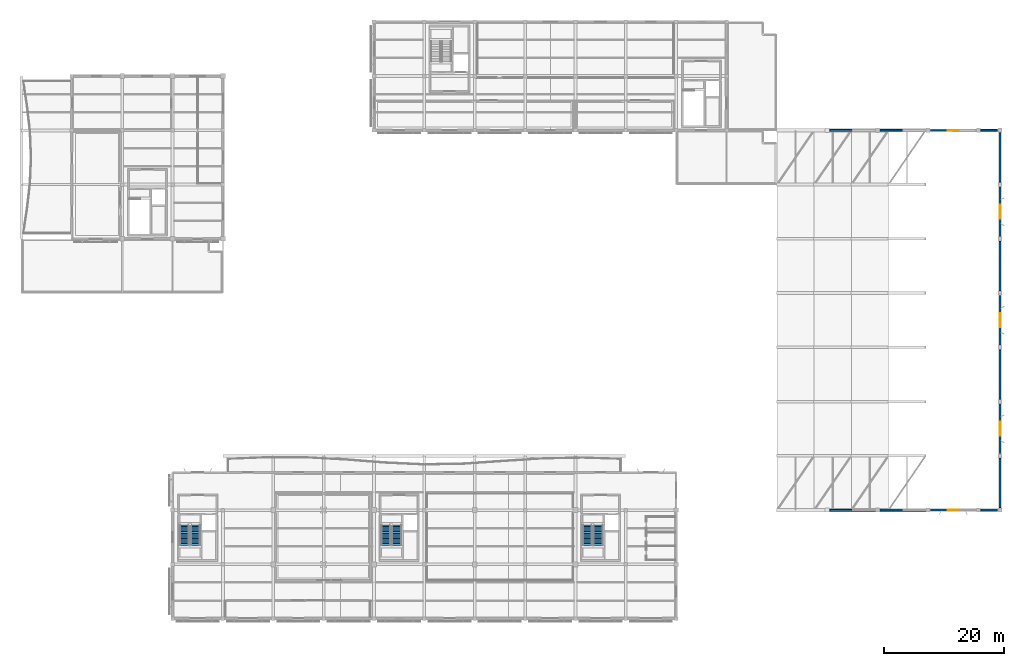
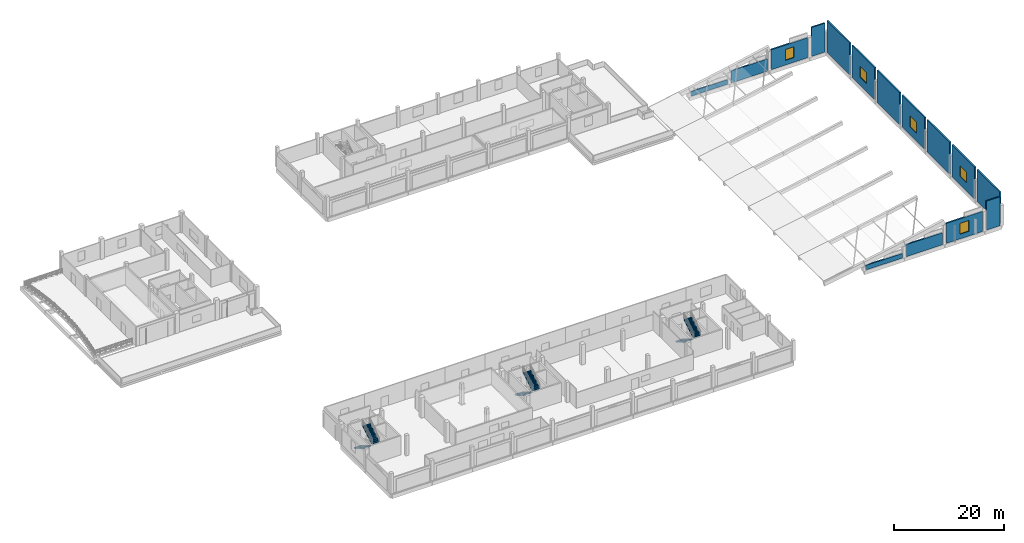
# One storey, part 20 of 34: 15 walls, 6 stair flights, 5 windows, 5 openings, 3 elements without a shape of their own.
"""IFC4 building model written with IfcOpenShell, lengths in metres."""

from ifc_helpers import new_model, si_unit, direction, frame, frame_2d, origin, place, context, subcontext, project, spatial, polyline, rectangle, outline, extrude, material, layer, layer_set, type_object, element, fill, aggregate, save


model = new_model("IFC4")

# Units and contexts
model_context = context("Model", 3, precision=1e-05, world=origin(), true_north=direction((0.0, 1.0)))
body_context = subcontext(model_context, "Body", "Model", "MODEL_VIEW")
ifc_project = project(units=[si_unit("LENGTHUNIT", "METRE"), si_unit("AREAUNIT", "SQUARE_METRE"), si_unit("VOLUMEUNIT", "CUBIC_METRE"), si_unit("PLANEANGLEUNIT", "RADIAN"), si_unit("MASSUNIT", "GRAM", prefix="KILO")], contexts=[model_context])

# Site, building, storey
site_placement = place(None, origin())
site = spatial("IfcSite", under=ifc_project, at=site_placement, CompositionType="ELEMENT")
building_placement = place(site_placement, origin())
building = spatial("IfcBuilding", under=site, at=building_placement, Name="Khurvash Pelagic Aquarium", CompositionType="ELEMENT")
storey_placement = place(building_placement, frame((0.0, 0.0, 15.60009765625)))
storey = spatial("IfcBuildingStorey", under=building, at=storey_placement, Name="L03", CompositionType="ELEMENT", Elevation=15.60009765625)

# Wall
ifc_material_1 = material(Name="Precast concrete C40/50", Category="concrete")
ifc_layer = layer(ifc_material_1, 0.300048828125)
ifc_layer_set = layer_set([ifc_layer], Name="Precast concrete C40/50")
wall_type = type_object("IfcWallType", Name="EW-300", PredefinedType="STANDARD", material=ifc_layer_set)
wall_1_placement = place(storey_placement, frame((163.199951171875, 21.110107421875, 0.0), z_axis=(0.0, 0.0, 1.0), x_axis=(0.0, 1.0, 0.0)))
element("IfcWall", 1, at=wall_1_placement, inside=storey, type_object=wall_type, Name="L03 Ocean Tank Hall East Containment Wall EW-300 B1", PredefinedType="STANDARD", context=body_context, shape_type="SweptSolid", body=[
    extrude(rectangle(XDim=8.22998046875, YDim=0.300048828125, at=frame_2d((4.114990234375, 0.0))), origin(), (0.0, 0.0, 1.0), 7.0498046875),
])

# Wall, opening, window
wall_2_placement = place(storey_placement, frame((163.199951171875, 30.159912109375, 0.0), z_axis=(0.0, 0.0, 1.0), x_axis=(0.0, 1.0, 0.0)))
wall_2 = element("IfcWall", 2, at=wall_2_placement, inside=storey, type_object=wall_type, Name="L03 Ocean Tank Hall East Containment Wall EW-300 B2", PredefinedType="STANDARD", context=body_context, shape_type="SweptSolid", body=[
    extrude(rectangle(XDim=8.22998046875, YDim=0.300048828125, at=frame_2d((4.114990234375, 0.0))), origin(), (0.0, 0.0, 1.0), 7.0498046875),
])
opening_1_placement = place(wall_2_placement, frame((2.9150390625, 0.0, 1.7998046875)))
opening_1 = element("IfcOpeningElement", 3, at=opening_1_placement, cuts=wall_2, Name="Opening WN-02", PredefinedType="OPENING", context=body_context, shape_type="SweptSolid", body=[
    extrude(rectangle(XDim=2.39990234375, YDim=2.39990234375, at=frame_2d((1.199951171875, 1.199951171875))), frame((0.0, 0.16015625, 0.0), z_axis=(0.0, -1.0, 0.0), x_axis=(1.0, 0.0, 0.0)), (0.0, 0.0, 1.0), 0.320068359375),
])
ifc_material_2 = material(Name="Thermally broken aluminium and low-E glass", Category="aluminium")
window_type_1 = type_object("IfcWindowType", Name="WN-02", PartitioningType="SINGLE_PANEL", PredefinedType="WINDOW", material=ifc_material_2)
window_1_placement = place(opening_1_placement, origin())
window_1 = element("IfcWindow", 4, at=window_1_placement, inside=storey, type_object=window_type_1, Name="L03 Ocean Hall Deep-Set Oceanic Portal Window WN-02", OverallHeight=2.39990234375, OverallWidth=2.39990234375, PartitioningType="SINGLE_PANEL", PredefinedType="WINDOW", context=body_context, shape_type="SweptSolid", body=[
    extrude(rectangle(XDim=2.39990234375, YDim=2.39990234375, at=frame_2d((1.199951171875, 1.199951171875))), frame((0.0, 0.030029296875, 0.0), z_axis=(0.0, -1.0, 0.0), x_axis=(1.0, 0.0, 0.0)), (0.0, 0.0, 1.0), 0.06005859375),
])
fill(opening_1, window_1)

# Wall
wall_3_placement = place(storey_placement, frame((163.199951171875, 39.2099609375, 0.0), z_axis=(0.0, 0.0, 1.0), x_axis=(0.0, 1.0, 0.0)))
element("IfcWall", 5, at=wall_3_placement, inside=storey, type_object=wall_type, Name="L03 Ocean Tank Hall East Containment Wall EW-300 B3", PredefinedType="STANDARD", context=body_context, shape_type="SweptSolid", body=[
    extrude(rectangle(XDim=8.22998046875, YDim=0.300048828125, at=frame_2d((4.114990234375, 0.0))), origin(), (0.0, 0.0, 1.0), 7.0498046875),
])

# Wall, opening, window
wall_4_placement = place(storey_placement, frame((163.199951171875, 48.260009765625, 0.0), z_axis=(0.0, 0.0, 1.0), x_axis=(0.0, 1.0, 0.0)))
wall_4 = element("IfcWall", 6, at=wall_4_placement, inside=storey, type_object=wall_type, Name="L03 Ocean Tank Hall East Containment Wall EW-300 B4", PredefinedType="STANDARD", context=body_context, shape_type="SweptSolid", body=[
    extrude(rectangle(XDim=8.22998046875, YDim=0.300048828125, at=frame_2d((4.114990234375, 0.0))), origin(), (0.0, 0.0, 1.0), 7.0498046875),
])
opening_2_placement = place(wall_4_placement, frame((2.9150390625, 0.0, 1.7998046875)))
opening_2 = element("IfcOpeningElement", 7, at=opening_2_placement, cuts=wall_4, Name="Opening WN-02", PredefinedType="OPENING", context=body_context, shape_type="SweptSolid", body=[
    extrude(rectangle(XDim=2.39990234375, YDim=2.39990234375, at=frame_2d((1.199951171875, 1.199951171875))), frame((0.0, 0.16015625, 0.0), z_axis=(0.0, -1.0, 0.0), x_axis=(1.0, 0.0, 0.0)), (0.0, 0.0, 1.0), 0.320068359375),
])
window_2_placement = place(opening_2_placement, origin())
window_2 = element("IfcWindow", 8, at=window_2_placement, inside=storey, type_object=window_type_1, Name="L03 Ocean Hall Deep-Set Oceanic Portal Window WN-02", OverallHeight=2.39990234375, OverallWidth=2.39990234375, PartitioningType="SINGLE_PANEL", PredefinedType="WINDOW", context=body_context, shape_type="SweptSolid", body=[
    extrude(rectangle(XDim=2.39990234375, YDim=2.39990234375, at=frame_2d((1.199951171875, 1.199951171875))), frame((0.0, 0.030029296875, 0.0), z_axis=(0.0, -1.0, 0.0), x_axis=(1.0, 0.0, 0.0)), (0.0, 0.0, 1.0), 0.06005859375),
])
fill(opening_2, window_2)

# Wall
wall_5_placement = place(storey_placement, frame((163.199951171875, 57.31005859375, 0.0), z_axis=(0.0, 0.0, 1.0), x_axis=(0.0, 1.0, 0.0)))
element("IfcWall", 9, at=wall_5_placement, inside=storey, type_object=wall_type, Name="L03 Ocean Tank Hall East Containment Wall EW-300 B5", PredefinedType="STANDARD", context=body_context, shape_type="SweptSolid", body=[
    extrude(rectangle(XDim=8.22998046875, YDim=0.300048828125, at=frame_2d((4.114990234375, 0.0))), origin(), (0.0, 0.0, 1.0), 7.0498046875),
])

# Wall, opening, window
wall_6_placement = place(storey_placement, frame((163.199951171875, 66.360107421875, 0.0), z_axis=(0.0, 0.0, 1.0), x_axis=(0.0, 1.0, 0.0)))
wall_6 = element("IfcWall", 10, at=wall_6_placement, inside=storey, type_object=wall_type, Name="L03 Ocean Tank Hall East Containment Wall EW-300 B6", PredefinedType="STANDARD", context=body_context, shape_type="SweptSolid", body=[
    extrude(rectangle(XDim=8.22998046875, YDim=0.300048828125, at=frame_2d((4.114990234375, 0.0))), origin(), (0.0, 0.0, 1.0), 7.0498046875),
])
opening_3_placement = place(wall_6_placement, frame((2.9150390625, 0.0, 1.7998046875)))
opening_3 = element("IfcOpeningElement", 11, at=opening_3_placement, cuts=wall_6, Name="Opening WN-02", PredefinedType="OPENING", context=body_context, shape_type="SweptSolid", body=[
    extrude(rectangle(XDim=2.39990234375, YDim=2.39990234375, at=frame_2d((1.199951171875, 1.199951171875))), frame((0.0, 0.16015625, 0.0), z_axis=(0.0, -1.0, 0.0), x_axis=(1.0, 0.0, 0.0)), (0.0, 0.0, 1.0), 0.320068359375),
])
window_3_placement = place(opening_3_placement, origin())
window_3 = element("IfcWindow", 12, at=window_3_placement, inside=storey, type_object=window_type_1, Name="L03 Ocean Hall Deep-Set Oceanic Portal Window WN-02", OverallHeight=2.39990234375, OverallWidth=2.39990234375, PartitioningType="SINGLE_PANEL", PredefinedType="WINDOW", context=body_context, shape_type="SweptSolid", body=[
    extrude(rectangle(XDim=2.39990234375, YDim=2.39990234375, at=frame_2d((1.199951171875, 1.199951171875))), frame((0.0, 0.030029296875, 0.0), z_axis=(0.0, -1.0, 0.0), x_axis=(1.0, 0.0, 0.0)), (0.0, 0.0, 1.0), 0.06005859375),
])
fill(opening_3, window_3)

# Walls
wall_7_placement = place(storey_placement, frame((163.199951171875, 75.409912109375, 0.0), z_axis=(0.0, 0.0, 1.0), x_axis=(0.0, 1.0, 0.0)))
element("IfcWall", 13, at=wall_7_placement, inside=storey, type_object=wall_type, Name="L03 Ocean Tank Hall East Containment Wall EW-300 B7", PredefinedType="STANDARD", context=body_context, shape_type="SweptSolid", body=[
    extrude(rectangle(XDim=8.22998046875, YDim=0.300048828125, at=frame_2d((4.114990234375, 0.0))), origin(), (0.0, 0.0, 1.0), 7.0498046875),
])
wall_8_placement = place(storey_placement, frame((134.81005859375, 20.699951171875, 0.0), z_axis=(0.0, 0.0, 1.0), x_axis=(1.0, 0.0, 0.0)))
element("IfcWall", 14, at=wall_8_placement, inside=storey, type_object=wall_type, Name="L03 Ocean Tank Hall South Containment Wall EW-300 B2.1", PredefinedType="STANDARD", context=body_context, shape_type="SweptSolid", body=[
    extrude(rectangle(XDim=7.579833984375, YDim=0.300048828125, at=frame_2d((3.7900390625, 0.0))), origin(), (0.0, 0.0, 1.0), 1.02880859375),
])
wall_9_placement = place(storey_placement, frame((143.2099609375, 20.699951171875, 0.0), z_axis=(0.0, 0.0, 1.0), x_axis=(1.0, 0.0, 0.0)))
element("IfcWall", 15, at=wall_9_placement, inside=storey, type_object=wall_type, Name="L03 Ocean Tank Hall South Containment Wall EW-300 B3.1", PredefinedType="STANDARD", context=body_context, shape_type="SweptSolid", body=[
    extrude(rectangle(XDim=7.580078125, YDim=0.300048828125, at=frame_2d((3.7900390625, 0.0))), origin(), (0.0, 0.0, 1.0), 2.669921875),
])

# Wall, opening, window
wall_10_placement = place(storey_placement, frame((151.610107421875, 20.699951171875, 0.0), z_axis=(0.0, 0.0, 1.0), x_axis=(1.0, 0.0, 0.0)))
wall_10 = element("IfcWall", 16, at=wall_10_placement, inside=storey, type_object=wall_type, Name="L03 Ocean Tank Hall South Containment Wall EW-300 B4.1", PredefinedType="STANDARD", context=body_context, shape_type="SweptSolid", body=[
    extrude(rectangle(XDim=7.579833984375, YDim=0.300048828125, at=frame_2d((3.7900390625, 0.0))), origin(), (0.0, 0.0, 1.0), 4.44091796875),
])
opening_4_placement = place(wall_10_placement, frame((2.889892578125, 0.0, 1.0498046875)))
opening_4 = element("IfcOpeningElement", 17, at=opening_4_placement, cuts=wall_10, Name="Opening WN-01", PredefinedType="OPENING", context=body_context, shape_type="SweptSolid", body=[
    extrude(rectangle(XDim=1.800048828125, YDim=2.39990234375, at=frame_2d((0.89990234375, 1.199951171875))), frame((0.0, 0.16015625, 0.0), z_axis=(0.0, -1.0, 0.0), x_axis=(1.0, 0.0, 0.0)), (0.0, 0.0, 1.0), 0.320068359375),
])
window_type_2 = type_object("IfcWindowType", Name="WN-01", PartitioningType="SINGLE_PANEL", PredefinedType="WINDOW", material=ifc_material_2)
window_4_placement = place(opening_4_placement, origin())
window_4 = element("IfcWindow", 18, at=window_4_placement, inside=storey, type_object=window_type_2, Name="L03 Ocean Hall South Viewing Portal Window WN-01", OverallHeight=2.39990234375, OverallWidth=1.800048828125, PartitioningType="SINGLE_PANEL", PredefinedType="WINDOW", context=body_context, shape_type="SweptSolid", body=[
    extrude(rectangle(XDim=1.800048828125, YDim=2.39990234375, at=frame_2d((0.89990234375, 1.199951171875))), frame((0.0, 0.030029296875, 0.0), z_axis=(0.0, -1.0, 0.0), x_axis=(1.0, 0.0, 0.0)), (0.0, 0.0, 1.0), 0.06005859375),
])
fill(opening_4, window_4)

# Walls
wall_11_placement = place(storey_placement, frame((160.010009765625, 20.699951171875, 0.0), z_axis=(0.0, 0.0, 1.0), x_axis=(1.0, 0.0, 0.0)))
element("IfcWall", 19, at=wall_11_placement, inside=storey, type_object=wall_type, Name="L03 Ocean Tank Hall South Containment Wall EW-300 B5.1", PredefinedType="STANDARD", context=body_context, shape_type="SweptSolid", body=[
    extrude(rectangle(XDim=2.780029296875, YDim=0.300048828125, at=frame_2d((1.39013671875, 0.0))), origin(), (0.0, 0.0, 1.0), 6.392822265625),
])
wall_12_placement = place(storey_placement, frame((142.389892578125, 84.050048828125, 0.0), z_axis=(0.0, 0.0, 1.0), x_axis=(-1.0, 0.0, 0.0)))
element("IfcWall", 20, at=wall_12_placement, inside=storey, type_object=wall_type, Name="L03 Ocean Tank Hall North Containment Wall EW-300 B2.1", PredefinedType="STANDARD", context=body_context, shape_type="SweptSolid", body=[
    extrude(rectangle(XDim=7.579833984375, YDim=0.300048828125, at=frame_2d((3.7900390625, 0.0))), origin(), (0.0, 0.0, 1.0), 1.02880859375),
])
wall_13_placement = place(storey_placement, frame((150.7900390625, 84.050048828125, 0.0), z_axis=(0.0, 0.0, 1.0), x_axis=(-1.0, 0.0, 0.0)))
element("IfcWall", 21, at=wall_13_placement, inside=storey, type_object=wall_type, Name="L03 Ocean Tank Hall North Containment Wall EW-300 B3.1", PredefinedType="STANDARD", context=body_context, shape_type="SweptSolid", body=[
    extrude(rectangle(XDim=7.580078125, YDim=0.300048828125, at=frame_2d((3.7900390625, 0.0))), origin(), (0.0, 0.0, 1.0), 2.669921875),
])

# Wall, opening, window
wall_14_placement = place(storey_placement, frame((159.18994140625, 84.050048828125, 0.0), z_axis=(0.0, 0.0, 1.0), x_axis=(-1.0, 0.0, 0.0)))
wall_14 = element("IfcWall", 22, at=wall_14_placement, inside=storey, type_object=wall_type, Name="L03 Ocean Tank Hall North Containment Wall EW-300 B4.1", PredefinedType="STANDARD", context=body_context, shape_type="SweptSolid", body=[
    extrude(rectangle(XDim=7.579833984375, YDim=0.300048828125, at=frame_2d((3.7900390625, 0.0))), origin(), (0.0, 0.0, 1.0), 4.44091796875),
])
opening_5_placement = place(wall_14_placement, frame((2.889892578125, 0.0, 1.0498046875)))
opening_5 = element("IfcOpeningElement", 23, at=opening_5_placement, cuts=wall_14, Name="Opening WN-01", PredefinedType="OPENING", context=body_context, shape_type="SweptSolid", body=[
    extrude(rectangle(XDim=1.800048828125, YDim=2.39990234375, at=frame_2d((0.89990234375, 1.199951171875))), frame((0.0, 0.16015625, 0.0), z_axis=(0.0, -1.0, 0.0), x_axis=(1.0, 0.0, 0.0)), (0.0, 0.0, 1.0), 0.320068359375),
])
window_5_placement = place(opening_5_placement, origin())
window_5 = element("IfcWindow", 24, at=window_5_placement, inside=storey, type_object=window_type_2, Name="L03 Ocean Hall North Viewing Portal Window WN-01", OverallHeight=2.39990234375, OverallWidth=1.800048828125, PartitioningType="SINGLE_PANEL", PredefinedType="WINDOW", context=body_context, shape_type="SweptSolid", body=[
    extrude(rectangle(XDim=1.800048828125, YDim=2.39990234375, at=frame_2d((0.89990234375, 1.199951171875))), frame((0.0, 0.030029296875, 0.0), z_axis=(0.0, -1.0, 0.0), x_axis=(1.0, 0.0, 0.0)), (0.0, 0.0, 1.0), 0.06005859375),
])
fill(opening_5, window_5)

# Wall
wall_15_placement = place(storey_placement, frame((162.7900390625, 84.050048828125, 0.0), z_axis=(0.0, 0.0, 1.0), x_axis=(-1.0, 0.0, 0.0)))
element("IfcWall", 25, at=wall_15_placement, inside=storey, type_object=wall_type, Name="L03 Ocean Tank Hall North Containment Wall EW-300 B5.1", PredefinedType="STANDARD", context=body_context, shape_type="SweptSolid", body=[
    extrude(rectangle(XDim=2.780029296875, YDim=0.300048828125, at=frame_2d((1.39013671875, 0.0))), origin(), (0.0, 0.0, 1.0), 6.392822265625),
])

# Stair, stair flights
ifc_material_3 = material(Name="Concrete C35/45", Category="concrete")
stair_type_1 = type_object("IfcStairType", Name="ST-01", PredefinedType="HALF_TURN_STAIR", material=ifc_material_3)
stair_1_placement = place(storey_placement, origin())
stair_1 = element("IfcStair", 26, at=stair_1_placement, inside=storey, type_object=stair_type_1, Name="L03 Protected Exit Stair ST-01", PredefinedType="HALF_TURN_STAIR")
stair_flight_type = type_object("IfcStairFlightType", Name="SF-150", PredefinedType="STRAIGHT", material=ifc_material_3)
stair_flight_1_placement = place(storey_placement, frame((27.199951171875, 18.25, 0.0), z_axis=(0.0, 0.0, 1.0), x_axis=(0.0, -1.0, 0.0)))
stair_flight_1 = element("IfcStairFlight", 27, at=stair_flight_1_placement, type_object=stair_flight_type, Name="ST-01 flight 1", NumberOfRisers=13, NumberOfTreads=12, PredefinedType="STRAIGHT", RiserHeight=0.173076923, TreadLength=0.285, context=body_context, shape_type="SweptSolid", body=[
    extrude(outline(polyline([(0.0, 0.0), (0.0, 0.173095703125), (0.284912109375, 0.173095703125), (0.284912109375, 0.34619140625), (0.570068359375, 0.34619140625), (0.570068359375, 0.519287109375), (0.85498046875, 0.519287109375), (0.85498046875, 0.6923828125), (1.139892578125, 0.6923828125), (1.139892578125, 0.865478515625), (1.425048828125, 0.865478515625), (1.425048828125, 1.03857421875), (1.7099609375, 1.03857421875), (1.7099609375, 1.21142578125), (1.9951171875, 1.21142578125), (1.9951171875, 1.384521484375), (2.280029296875, 1.384521484375), (2.280029296875, 1.5576171875), (2.56494140625, 1.5576171875), (2.56494140625, 1.730712890625), (2.85009765625, 1.730712890625), (2.85009765625, 1.90380859375), (3.135009765625, 1.90380859375), (3.135009765625, 2.076904296875), (3.419921875, 2.076904296875), (3.419921875, 2.25), (3.419921875, 1.866455078125), (0.3466796875, 0.0), (0.0, 0.0)])), frame((0.0, 0.800048828125, 0.0), z_axis=(0.0, -1.0, 0.0), x_axis=(1.0, 0.0, 0.0)), (0.0, 0.0, 1.0), 1.60009765625),
])
stair_flight_2_placement = place(storey_placement, frame((29.0, 14.830078125, 2.25), z_axis=(0.0, 0.0, 1.0), x_axis=(0.0, 1.0, 0.0)))
stair_flight_2 = element("IfcStairFlight", 28, at=stair_flight_2_placement, type_object=stair_flight_type, Name="ST-01 flight 2", NumberOfRisers=13, NumberOfTreads=12, PredefinedType="STRAIGHT", RiserHeight=0.173076923, TreadLength=0.285, context=body_context, shape_type="SweptSolid", body=[
    extrude(outline(polyline([(0.0, 0.0), (0.0, 0.173095703125), (0.284912109375, 0.173095703125), (0.284912109375, 0.34619140625), (0.570068359375, 0.34619140625), (0.570068359375, 0.519287109375), (0.85498046875, 0.519287109375), (0.85498046875, 0.6923828125), (1.139892578125, 0.6923828125), (1.139892578125, 0.865478515625), (1.425048828125, 0.865478515625), (1.425048828125, 1.03857421875), (1.7099609375, 1.03857421875), (1.7099609375, 1.21142578125), (1.9951171875, 1.21142578125), (1.9951171875, 1.384521484375), (2.280029296875, 1.384521484375), (2.280029296875, 1.5576171875), (2.56494140625, 1.5576171875), (2.56494140625, 1.730712890625), (2.85009765625, 1.730712890625), (2.85009765625, 1.90380859375), (3.135009765625, 1.90380859375), (3.135009765625, 2.076904296875), (3.419921875, 2.076904296875), (3.419921875, 2.25), (3.419921875, 1.866455078125), (0.3466796875, 0.0), (0.0, 0.0)])), frame((0.0, 0.800048828125, 0.0), z_axis=(0.0, -1.0, 0.0), x_axis=(1.0, 0.0, 0.0)), (0.0, 0.0, 1.0), 1.60009765625),
])
aggregate(stair_1, [stair_flight_1, stair_flight_2])

stair_type_2 = type_object("IfcStairType", Name="ST-02", PredefinedType="HALF_TURN_STAIR", material=ifc_material_3)
stair_2_placement = place(storey_placement, origin())
stair_2 = element("IfcStair", 29, at=stair_2_placement, inside=storey, type_object=stair_type_2, Name="L03 Protected Exit Stair ST-02", PredefinedType="HALF_TURN_STAIR")
stair_flight_3_placement = place(storey_placement, frame((60.800048828125, 18.25, 0.0), z_axis=(0.0, 0.0, 1.0), x_axis=(0.0, -1.0, 0.0)))
stair_flight_3 = element("IfcStairFlight", 30, at=stair_flight_3_placement, type_object=stair_flight_type, Name="ST-02 flight 1", NumberOfRisers=13, NumberOfTreads=12, PredefinedType="STRAIGHT", RiserHeight=0.173076923, TreadLength=0.285, context=body_context, shape_type="SweptSolid", body=[
    extrude(outline(polyline([(0.0, 0.0), (0.0, 0.173095703125), (0.284912109375, 0.173095703125), (0.284912109375, 0.34619140625), (0.570068359375, 0.34619140625), (0.570068359375, 0.519287109375), (0.85498046875, 0.519287109375), (0.85498046875, 0.6923828125), (1.139892578125, 0.6923828125), (1.139892578125, 0.865478515625), (1.425048828125, 0.865478515625), (1.425048828125, 1.03857421875), (1.7099609375, 1.03857421875), (1.7099609375, 1.21142578125), (1.9951171875, 1.21142578125), (1.9951171875, 1.384521484375), (2.280029296875, 1.384521484375), (2.280029296875, 1.5576171875), (2.56494140625, 1.5576171875), (2.56494140625, 1.730712890625), (2.85009765625, 1.730712890625), (2.85009765625, 1.90380859375), (3.135009765625, 1.90380859375), (3.135009765625, 2.076904296875), (3.419921875, 2.076904296875), (3.419921875, 2.25), (3.419921875, 1.866455078125), (0.3466796875, 0.0), (0.0, 0.0)])), frame((0.0, 0.800048828125, 0.0), z_axis=(0.0, -1.0, 0.0), x_axis=(1.0, 0.0, 0.0)), (0.0, 0.0, 1.0), 1.60009765625),
])
stair_flight_4_placement = place(storey_placement, frame((62.60009765625, 14.830078125, 2.25), z_axis=(0.0, 0.0, 1.0), x_axis=(0.0, 1.0, 0.0)))
stair_flight_4 = element("IfcStairFlight", 31, at=stair_flight_4_placement, type_object=stair_flight_type, Name="ST-02 flight 2", NumberOfRisers=13, NumberOfTreads=12, PredefinedType="STRAIGHT", RiserHeight=0.173076923, TreadLength=0.285, context=body_context, shape_type="SweptSolid", body=[
    extrude(outline(polyline([(0.0, 0.0), (0.0, 0.173095703125), (0.284912109375, 0.173095703125), (0.284912109375, 0.34619140625), (0.570068359375, 0.34619140625), (0.570068359375, 0.519287109375), (0.85498046875, 0.519287109375), (0.85498046875, 0.6923828125), (1.139892578125, 0.6923828125), (1.139892578125, 0.865478515625), (1.425048828125, 0.865478515625), (1.425048828125, 1.03857421875), (1.7099609375, 1.03857421875), (1.7099609375, 1.21142578125), (1.9951171875, 1.21142578125), (1.9951171875, 1.384521484375), (2.280029296875, 1.384521484375), (2.280029296875, 1.5576171875), (2.56494140625, 1.5576171875), (2.56494140625, 1.730712890625), (2.85009765625, 1.730712890625), (2.85009765625, 1.90380859375), (3.135009765625, 1.90380859375), (3.135009765625, 2.076904296875), (3.419921875, 2.076904296875), (3.419921875, 2.25), (3.419921875, 1.866455078125), (0.3466796875, 0.0), (0.0, 0.0)])), frame((0.0, 0.800048828125, 0.0), z_axis=(0.0, -1.0, 0.0), x_axis=(1.0, 0.0, 0.0)), (0.0, 0.0, 1.0), 1.60009765625),
])
aggregate(stair_2, [stair_flight_3, stair_flight_4])

stair_type_3 = type_object("IfcStairType", Name="ST-03", PredefinedType="HALF_TURN_STAIR", material=ifc_material_3)
stair_3_placement = place(storey_placement, origin())
stair_3 = element("IfcStair", 32, at=stair_3_placement, inside=storey, type_object=stair_type_3, Name="L03 Protected Exit Stair ST-03", PredefinedType="HALF_TURN_STAIR")
stair_flight_5_placement = place(storey_placement, frame((94.39990234375, 18.25, 0.0), z_axis=(0.0, 0.0, 1.0), x_axis=(0.0, -1.0, 0.0)))
stair_flight_5 = element("IfcStairFlight", 33, at=stair_flight_5_placement, type_object=stair_flight_type, Name="ST-03 flight 1", NumberOfRisers=13, NumberOfTreads=12, PredefinedType="STRAIGHT", RiserHeight=0.173076923, TreadLength=0.285, context=body_context, shape_type="SweptSolid", body=[
    extrude(outline(polyline([(0.0, 0.0), (0.0, 0.173095703125), (0.284912109375, 0.173095703125), (0.284912109375, 0.34619140625), (0.570068359375, 0.34619140625), (0.570068359375, 0.519287109375), (0.85498046875, 0.519287109375), (0.85498046875, 0.6923828125), (1.139892578125, 0.6923828125), (1.139892578125, 0.865478515625), (1.425048828125, 0.865478515625), (1.425048828125, 1.03857421875), (1.7099609375, 1.03857421875), (1.7099609375, 1.21142578125), (1.9951171875, 1.21142578125), (1.9951171875, 1.384521484375), (2.280029296875, 1.384521484375), (2.280029296875, 1.5576171875), (2.56494140625, 1.5576171875), (2.56494140625, 1.730712890625), (2.85009765625, 1.730712890625), (2.85009765625, 1.90380859375), (3.135009765625, 1.90380859375), (3.135009765625, 2.076904296875), (3.419921875, 2.076904296875), (3.419921875, 2.25), (3.419921875, 1.866455078125), (0.3466796875, 0.0), (0.0, 0.0)])), frame((0.0, 0.800048828125, 0.0), z_axis=(0.0, -1.0, 0.0), x_axis=(1.0, 0.0, 0.0)), (0.0, 0.0, 1.0), 1.60009765625),
])
stair_flight_6_placement = place(storey_placement, frame((96.199951171875, 14.830078125, 2.25), z_axis=(0.0, 0.0, 1.0), x_axis=(0.0, 1.0, 0.0)))
stair_flight_6 = element("IfcStairFlight", 34, at=stair_flight_6_placement, type_object=stair_flight_type, Name="ST-03 flight 2", NumberOfRisers=13, NumberOfTreads=12, PredefinedType="STRAIGHT", RiserHeight=0.173076923, TreadLength=0.285, context=body_context, shape_type="SweptSolid", body=[
    extrude(outline(polyline([(0.0, 0.0), (0.0, 0.173095703125), (0.284912109375, 0.173095703125), (0.284912109375, 0.34619140625), (0.570068359375, 0.34619140625), (0.570068359375, 0.519287109375), (0.85498046875, 0.519287109375), (0.85498046875, 0.6923828125), (1.139892578125, 0.6923828125), (1.139892578125, 0.865478515625), (1.425048828125, 0.865478515625), (1.425048828125, 1.03857421875), (1.7099609375, 1.03857421875), (1.7099609375, 1.21142578125), (1.9951171875, 1.21142578125), (1.9951171875, 1.384521484375), (2.280029296875, 1.384521484375), (2.280029296875, 1.5576171875), (2.56494140625, 1.5576171875), (2.56494140625, 1.730712890625), (2.85009765625, 1.730712890625), (2.85009765625, 1.90380859375), (3.135009765625, 1.90380859375), (3.135009765625, 2.076904296875), (3.419921875, 2.076904296875), (3.419921875, 2.25), (3.419921875, 1.866455078125), (0.3466796875, 0.0), (0.0, 0.0)])), frame((0.0, 0.800048828125, 0.0), z_axis=(0.0, -1.0, 0.0), x_axis=(1.0, 0.0, 0.0)), (0.0, 0.0, 1.0), 1.60009765625),
])
aggregate(stair_3, [stair_flight_5, stair_flight_6])

save(model, "model.ifc")
